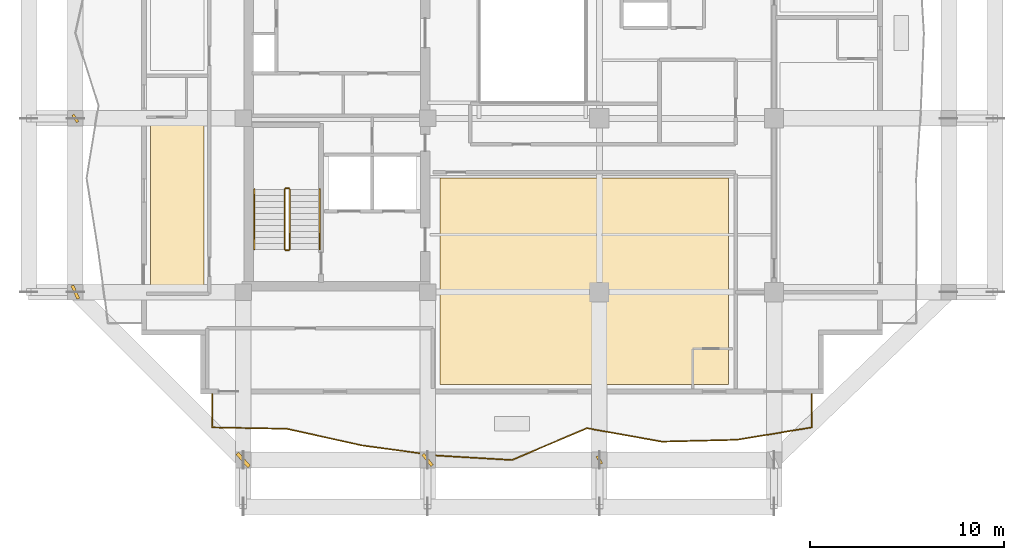
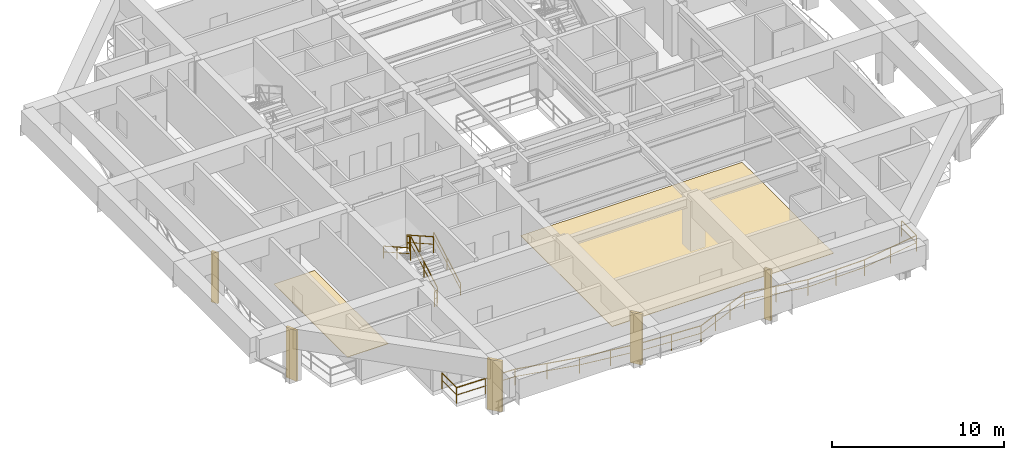
# One storey, part 7 of 11: 7 railings, 5 shading devices, 2 coverings.
"""IFC4 building model written with IfcOpenShell, lengths in metres."""

from ifc_helpers import new_model, si_unit, direction, frame, origin, origin_2d, place, context, subcontext, project, spatial, polyline, rectangle, outline, extrude, material, layer, layer_set, type_object, element, save


model = new_model("IFC4")

# Units and contexts
model_context = context("Model", 3, precision=1e-05, world=origin(), true_north=direction((0.0, 1.0)))
body_context = subcontext(model_context, "Body", "Model", "MODEL_VIEW")
ifc_project = project(units=[si_unit("LENGTHUNIT", "METRE"), si_unit("AREAUNIT", "SQUARE_METRE"), si_unit("VOLUMEUNIT", "CUBIC_METRE"), si_unit("PLANEANGLEUNIT", "RADIAN"), si_unit("MASSUNIT", "GRAM", prefix="KILO")], contexts=[model_context])

# Site, building, storey
site_placement = place(None, origin())
site = spatial("IfcSite", under=ifc_project, at=site_placement, CompositionType="ELEMENT")
building_placement = place(site_placement, origin())
building = spatial("IfcBuilding", under=site, at=building_placement, Name="Kundavana Baori Tower", CompositionType="ELEMENT")
storey_placement = place(building_placement, frame((0.0, 0.0, 154.050048828125)))
storey = spatial("IfcBuildingStorey", under=building, at=storey_placement, Name="L37", CompositionType="ELEMENT", Elevation=154.050048828125)

# Coverings
ifc_material_1 = material(Name="Honed Kota Stone and Terrazzo Flooring", Category="masonry")
ifc_layer = layer(ifc_material_1, 0.030029296875, Name="COV-INT-FLR")
ifc_layer_set = layer_set([ifc_layer], Name="Honed Kota Stone and Terrazzo Flooring")
covering_type = type_object("IfcCoveringType", Name="COV-INT-FLR", PredefinedType="FLOORING", material=ifc_layer_set)
covering_1_placement = place(storey_placement, origin())
element("IfcCovering", 1, at=covering_1_placement, inside=storey, type_object=covering_type, Name="L37 Room Finished Stone Flooring 1", PredefinedType="FLOORING", context=body_context, shape_type="SweptSolid", body=[
    extrude(outline(polyline([(10.679931640625, 15.5), (13.419921875, 15.5), (13.419921875, 24.070068359375), (10.679931640625, 24.070068359375), (10.679931640625, 15.5)])), origin(), (0.0, 0.0, 1.0), 0.030029296875),
])
covering_2_placement = place(storey_placement, origin())
element("IfcCovering", 2, at=covering_2_placement, inside=storey, type_object=covering_type, Name="L37 Room Finished Stone Flooring 3", PredefinedType="FLOORING", context=body_context, shape_type="SweptSolid", body=[
    extrude(outline(polyline([(25.580078125, 10.47998046875), (40.4599609375, 10.47998046875), (40.4599609375, 21.139892578125), (25.580078125, 21.139892578125), (25.580078125, 10.47998046875)])), origin(), (0.0, 0.0, 1.0), 0.030029296875),
])

# Railings
ifc_material_2 = material(Name="Architectural Patinated Bronze Metalwork")
railing_type_1 = type_object("IfcRailingType", Name="RL-BAL-1150", PredefinedType="BALUSTRADE", material=ifc_material_2)
railing_1_placement = place(storey_placement, frame((44.75, 10.0, 0.0)))
element("IfcRailing", 3, at=railing_1_placement, inside=storey, type_object=railing_type_1, Name="L37 Loggia Balcony Balustrade S", PredefinedType="BALUSTRADE", context=body_context, shape_type="SweptSolid", body=[
    extrude(rectangle(XDim=0.048095703125, YDim=0.048095703125, at=origin_2d()), frame((0.0, 0.0, 1.1259765625), z_axis=(0.0, -1.0, 0.0), x_axis=(1.0, 0.0, 0.0)), (0.0, 0.0, 1.0), 1.719970703125),
    extrude(rectangle(XDim=0.03125, YDim=0.03125, at=origin_2d()), frame((0.0, 0.0, 0.597900390625), z_axis=(0.0, -1.0, 0.0), x_axis=(1.0, 0.0, 0.0)), (0.0, 0.0, 1.0), 1.719970703125),
    extrude(rectangle(XDim=0.048095703125, YDim=0.048095703125, at=origin_2d()), frame((0.0, -1.719970703125, 1.1259765625), z_axis=(-0.986597073271, -0.16317541179, 0.0), x_axis=(0.16317541179, -0.986597073271, 0.0)), (0.0, 0.0, 1.0), 3.91552734375),
    extrude(rectangle(XDim=0.03125, YDim=0.03125, at=origin_2d()), frame((0.0, -1.719970703125, 0.597900390625), z_axis=(-0.986597073271, -0.16317541179, 0.0), x_axis=(0.16317541179, -0.986597073271, 0.0)), (0.0, 0.0, 1.0), 3.91552734375),
    extrude(rectangle(XDim=0.048095703125, YDim=0.048095703125, at=origin_2d()), frame((-3.863037109375, -2.35888671875, 1.1259765625), z_axis=(-0.999689970947, -0.024899035878, 0.0), x_axis=(0.024899035878, -0.999689970947, 0.0)), (0.0, 0.0, 1.0), 3.86328125),
    extrude(rectangle(XDim=0.03125, YDim=0.03125, at=origin_2d()), frame((-3.863037109375, -2.35888671875, 0.597900390625), z_axis=(-0.999689970947, -0.024899035878, 0.0), x_axis=(0.024899035878, -0.999689970947, 0.0)), (0.0, 0.0, 1.0), 3.86328125),
    extrude(rectangle(XDim=0.048095703125, YDim=0.048095703125, at=origin_2d()), frame((-7.72509765625, -2.455078125, 1.1259765625), z_axis=(-0.984272594142, 0.176656334225, 0.0), x_axis=(-0.176656334225, -0.984272594142, 0.0)), (0.0, 0.0, 1.0), 3.923583984375),
    extrude(rectangle(XDim=0.03125, YDim=0.03125, at=origin_2d()), frame((-7.72509765625, -2.455078125, 0.597900390625), z_axis=(-0.984272594142, 0.176656334225, 0.0), x_axis=(-0.176656334225, -0.984272594142, 0.0)), (0.0, 0.0, 1.0), 3.923583984375),
    extrude(rectangle(XDim=0.048095703125, YDim=0.048095703125, at=origin_2d()), frame((-11.5869140625, -1.761962890625, 1.1259765625), z_axis=(-0.920661003178, -0.390363058227, 0.0), x_axis=(0.390363058227, -0.920661003178, 0.0)), (0.0, 0.0, 1.0), 4.196044921875),
    extrude(rectangle(XDim=0.03125, YDim=0.03125, at=origin_2d()), frame((-11.5869140625, -1.761962890625, 0.597900390625), z_axis=(-0.920661003178, -0.390363058227, 0.0), x_axis=(0.390363058227, -0.920661003178, 0.0)), (0.0, 0.0, 1.0), 4.196044921875),
    extrude(rectangle(XDim=0.048095703125, YDim=0.048095703125, at=origin_2d()), frame((-15.449951171875, -3.39990234375, 1.1259765625), z_axis=(-0.998265221673, 0.058877391227, 0.0), x_axis=(-0.058877391227, -0.998265221673, 0.0)), (0.0, 0.0, 1.0), 3.86865234375),
    extrude(rectangle(XDim=0.03125, YDim=0.03125, at=origin_2d()), frame((-15.449951171875, -3.39990234375, 0.597900390625), z_axis=(-0.998265221673, 0.058877391227, 0.0), x_axis=(-0.058877391227, -0.998265221673, 0.0)), (0.0, 0.0, 1.0), 3.86865234375),
    extrude(rectangle(XDim=0.048095703125, YDim=0.048095703125, at=origin_2d()), frame((-19.31201171875, -3.172119140625, 1.1259765625), z_axis=(-0.991019367967, 0.133718406788, 0.0), x_axis=(-0.133718406788, -0.991019367967, 0.0)), (0.0, 0.0, 1.0), 3.89794921875),
    extrude(rectangle(XDim=0.03125, YDim=0.03125, at=origin_2d()), frame((-19.31201171875, -3.172119140625, 0.597900390625), z_axis=(-0.991019367967, 0.133718406788, 0.0), x_axis=(-0.133718406788, -0.991019367967, 0.0)), (0.0, 0.0, 1.0), 3.89794921875),
    extrude(rectangle(XDim=0.048095703125, YDim=0.048095703125, at=origin_2d()), frame((-23.175048828125, -2.65087890625, 1.1259765625), z_axis=(-0.976268289555, 0.21656460193, 0.0), x_axis=(-0.21656460193, -0.976268289555, 0.0)), (0.0, 0.0, 1.0), 3.95703125),
    extrude(rectangle(XDim=0.03125, YDim=0.03125, at=origin_2d()), frame((-23.175048828125, -2.65087890625, 0.597900390625), z_axis=(-0.976268289555, 0.21656460193, 0.0), x_axis=(-0.21656460193, -0.976268289555, 0.0)), (0.0, 0.0, 1.0), 3.95703125),
    extrude(rectangle(XDim=0.048095703125, YDim=0.048095703125, at=origin_2d()), frame((-27.0380859375, -1.7939453125, 1.1259765625), z_axis=(-0.999816585941, 0.019151879222, 0.0), x_axis=(-0.019151879222, -0.999816585941, 0.0)), (0.0, 0.0, 1.0), 3.862548828125),
    extrude(rectangle(XDim=0.03125, YDim=0.03125, at=origin_2d()), frame((-27.0380859375, -1.7939453125, 0.597900390625), z_axis=(-0.999816585941, 0.019151879222, 0.0), x_axis=(-0.019151879222, -0.999816585941, 0.0)), (0.0, 0.0, 1.0), 3.862548828125),
    extrude(rectangle(XDim=0.048095703125, YDim=0.048095703125, at=origin_2d()), frame((-30.89990234375, -1.719970703125, 1.1259765625), z_axis=(0.0, 1.0, 0.0), x_axis=(-1.0, 0.0, 0.0)), (0.0, 0.0, 1.0), 1.719970703125),
    extrude(rectangle(XDim=0.03125, YDim=0.03125, at=origin_2d()), frame((-30.89990234375, -1.719970703125, 0.597900390625), z_axis=(0.0, 1.0, 0.0), x_axis=(-1.0, 0.0, 0.0)), (0.0, 0.0, 1.0), 1.719970703125),
    extrude(rectangle(XDim=0.0419921875, YDim=0.0419921875, at=origin_2d()), origin(), (0.0, 0.0, 1.0), 1.101806640625),
    extrude(rectangle(XDim=0.0419921875, YDim=0.0419921875, at=origin_2d()), frame((0.0, -1.719970703125, 0.0)), (0.0, 0.0, 1.0), 1.101806640625),
    extrude(rectangle(XDim=0.0419921875, YDim=0.0419921875, at=origin_2d()), frame((-1.931640625, -2.03955078125, 0.0)), (0.0, 0.0, 1.0), 1.101806640625),
    extrude(rectangle(XDim=0.0419921875, YDim=0.0419921875, at=origin_2d()), frame((-3.863037109375, -2.35888671875, 0.0)), (0.0, 0.0, 1.0), 1.101806640625),
    extrude(rectangle(XDim=0.0419921875, YDim=0.0419921875, at=origin_2d()), frame((-5.7939453125, -2.406982421875, 0.0)), (0.0, 0.0, 1.0), 1.101806640625),
    extrude(rectangle(XDim=0.0419921875, YDim=0.0419921875, at=origin_2d()), frame((-7.72509765625, -2.455078125, 0.0)), (0.0, 0.0, 1.0), 1.101806640625),
    extrude(rectangle(XDim=0.0419921875, YDim=0.0419921875, at=origin_2d()), frame((-9.656005859375, -2.1083984375, 0.0)), (0.0, 0.0, 1.0), 1.101806640625),
    extrude(rectangle(XDim=0.0419921875, YDim=0.0419921875, at=origin_2d()), frame((-11.5869140625, -1.761962890625, 0.0)), (0.0, 0.0, 1.0), 1.101806640625),
    extrude(rectangle(XDim=0.0419921875, YDim=0.0419921875, at=origin_2d()), frame((-12.87451171875, -2.307861328125, 0.0)), (0.0, 0.0, 1.0), 1.101806640625),
    extrude(rectangle(XDim=0.0419921875, YDim=0.0419921875, at=origin_2d()), frame((-14.162353515625, -2.85400390625, 0.0)), (0.0, 0.0, 1.0), 1.101806640625),
    extrude(rectangle(XDim=0.0419921875, YDim=0.0419921875, at=origin_2d()), frame((-15.449951171875, -3.39990234375, 0.0)), (0.0, 0.0, 1.0), 1.101806640625),
    extrude(rectangle(XDim=0.0419921875, YDim=0.0419921875, at=origin_2d()), frame((-17.380859375, -3.2861328125, 0.0)), (0.0, 0.0, 1.0), 1.101806640625),
    extrude(rectangle(XDim=0.0419921875, YDim=0.0419921875, at=origin_2d()), frame((-19.31201171875, -3.172119140625, 0.0)), (0.0, 0.0, 1.0), 1.101806640625),
    extrude(rectangle(XDim=0.0419921875, YDim=0.0419921875, at=origin_2d()), frame((-21.24365234375, -2.91162109375, 0.0)), (0.0, 0.0, 1.0), 1.101806640625),
    extrude(rectangle(XDim=0.0419921875, YDim=0.0419921875, at=origin_2d()), frame((-23.175048828125, -2.65087890625, 0.0)), (0.0, 0.0, 1.0), 1.101806640625),
    extrude(rectangle(XDim=0.0419921875, YDim=0.0419921875, at=origin_2d()), frame((-25.1064453125, -2.222412109375, 0.0)), (0.0, 0.0, 1.0), 1.101806640625),
    extrude(rectangle(XDim=0.0419921875, YDim=0.0419921875, at=origin_2d()), frame((-27.0380859375, -1.7939453125, 0.0)), (0.0, 0.0, 1.0), 1.101806640625),
    extrude(rectangle(XDim=0.0419921875, YDim=0.0419921875, at=origin_2d()), frame((-28.968994140625, -1.7568359375, 0.0)), (0.0, 0.0, 1.0), 1.101806640625),
    extrude(rectangle(XDim=0.0419921875, YDim=0.0419921875, at=origin_2d()), frame((-30.89990234375, -1.719970703125, 0.0)), (0.0, 0.0, 1.0), 1.101806640625),
    extrude(rectangle(XDim=0.0419921875, YDim=0.0419921875, at=origin_2d()), frame((-30.89990234375, 0.0, 0.0)), (0.0, 0.0, 1.0), 1.101806640625),
])
ifc_material_3 = material(Name="Architectural Patinated Bronze Metalwork")
railing_type_2 = type_object("IfcRailingType", Name="RL-GRD-1150", PredefinedType="GUARDRAIL", material=ifc_material_3)
railing_2_placement = place(storey_placement, frame((17.840087890625, 17.449951171875, 0.175048828125)))
element("IfcRailing", 4, at=railing_2_placement, inside=storey, type_object=railing_type_2, Name="L37 ST1 stair guard 1", PredefinedType="GUARDRAIL", context=body_context, shape_type="SweptSolid", body=[
    extrude(rectangle(XDim=0.048095703125, YDim=0.048095703125, at=origin_2d()), frame((0.0, 0.0, 1.1259765625), z_axis=(0.0, 0.870830938388, 0.491582624537), x_axis=(-1.0, 0.0, 0.0)), (0.0, 0.0, 1.0), 3.559814453125),
    extrude(rectangle(XDim=0.03125, YDim=0.03125, at=origin_2d()), frame((0.0, 0.0, 0.597900390625), z_axis=(0.0, 0.870830938388, 0.491582624537), x_axis=(-1.0, 0.0, 0.0)), (0.0, 0.0, 1.0), 3.559814453125),
    extrude(rectangle(XDim=0.0419921875, YDim=0.0419921875, at=origin_2d()), origin(), (0.0, 0.0, 1.0), 1.101806640625),
    extrude(rectangle(XDim=0.0419921875, YDim=0.0419921875, at=origin_2d()), frame((0.0, 1.550048828125, 0.875)), (0.0, 0.0, 1.0), 1.101806640625),
    extrude(rectangle(XDim=0.0419921875, YDim=0.0419921875, at=origin_2d()), frame((0.0, 3.10009765625, 1.75)), (0.0, 0.0, 1.0), 1.101806640625),
])
railing_3_placement = place(storey_placement, frame((17.7900390625, 20.60009765625, 1.925048828125)))
element("IfcRailing", 5, at=railing_3_placement, inside=storey, type_object=railing_type_2, Name="L37 ST1 stair guard 2", PredefinedType="GUARDRAIL", context=body_context, shape_type="SweptSolid", body=[
    extrude(rectangle(XDim=0.048095703125, YDim=0.048095703125, at=origin_2d()), frame((0.0, 0.0, 1.1259765625), z_axis=(-1.0, 0.0, 0.0), x_axis=(0.0, -1.0, 0.0)), (0.0, 0.0, 1.0), 0.16015625),
    extrude(rectangle(XDim=0.03125, YDim=0.03125, at=origin_2d()), frame((0.0, 0.0, 0.597900390625), z_axis=(-1.0, 0.0, 0.0), x_axis=(0.0, -1.0, 0.0)), (0.0, 0.0, 1.0), 0.16015625),
    extrude(rectangle(XDim=0.0419921875, YDim=0.0419921875, at=origin_2d()), origin(), (0.0, 0.0, 1.0), 1.101806640625),
    extrude(rectangle(XDim=0.0419921875, YDim=0.0419921875, at=origin_2d()), frame((-0.16015625, 0.0, 0.0)), (0.0, 0.0, 1.0), 1.101806640625),
])
railing_4_placement = place(storey_placement, frame((17.580078125, 20.550048828125, 2.099853515625)))
element("IfcRailing", 6, at=railing_4_placement, inside=storey, type_object=railing_type_2, Name="L37 ST1 stair guard 3", PredefinedType="GUARDRAIL", context=body_context, shape_type="SweptSolid", body=[
    extrude(rectangle(XDim=0.048095703125, YDim=0.048095703125, at=origin_2d()), frame((0.0, 0.0, 1.1259765625), z_axis=(0.0, -0.870830938388, 0.491582624537), x_axis=(1.0, 0.0, 0.0)), (0.0, 0.0, 1.0), 3.559814453125),
    extrude(rectangle(XDim=0.03125, YDim=0.03125, at=origin_2d()), frame((0.0, 0.0, 0.597900390625), z_axis=(0.0, -0.870830938388, 0.491582624537), x_axis=(1.0, 0.0, 0.0)), (0.0, 0.0, 1.0), 3.559814453125),
    extrude(rectangle(XDim=0.0419921875, YDim=0.0419921875, at=origin_2d()), origin(), (0.0, 0.0, 1.0), 1.101806640625),
    extrude(rectangle(XDim=0.0419921875, YDim=0.0419921875, at=origin_2d()), frame((0.0, -1.550048828125, 0.875)), (0.0, 0.0, 1.0), 1.101806640625),
    extrude(rectangle(XDim=0.0419921875, YDim=0.0419921875, at=origin_2d()), frame((0.0, -3.10009765625, 1.75)), (0.0, 0.0, 1.0), 1.101806640625),
])
railing_5_placement = place(storey_placement, frame((17.7900390625, 17.39990234375, 0.0)))
element("IfcRailing", 7, at=railing_5_placement, inside=storey, type_object=railing_type_2, Name="L37 ST1 stair guard 4", PredefinedType="GUARDRAIL", context=body_context, shape_type="SweptSolid", body=[
    extrude(rectangle(XDim=0.048095703125, YDim=0.048095703125, at=origin_2d()), frame((0.0, 0.0, 1.1259765625), z_axis=(-1.0, 0.0, 0.0), x_axis=(0.0, -1.0, 0.0)), (0.0, 0.0, 1.0), 0.16015625),
    extrude(rectangle(XDim=0.03125, YDim=0.03125, at=origin_2d()), frame((0.0, 0.0, 0.597900390625), z_axis=(-1.0, 0.0, 0.0), x_axis=(0.0, -1.0, 0.0)), (0.0, 0.0, 1.0), 0.16015625),
    extrude(rectangle(XDim=0.0419921875, YDim=0.0419921875, at=origin_2d()), origin(), (0.0, 0.0, 1.0), 1.101806640625),
    extrude(rectangle(XDim=0.0419921875, YDim=0.0419921875, at=origin_2d()), frame((-0.16015625, 0.0, 0.0)), (0.0, 0.0, 1.0), 1.101806640625),
])
ifc_material_4 = material(Name="Architectural Patinated Bronze Metalwork")
railing_type_3 = type_object("IfcRailingType", Name="RL-HND-920", PredefinedType="HANDRAIL", material=ifc_material_4)
railing_6_placement = place(storey_placement, frame((19.389892578125, 17.449951171875, 0.175048828125)))
element("IfcRailing", 8, at=railing_6_placement, inside=storey, type_object=railing_type_3, Name="L37 ST1 stair handrail 1", PredefinedType="HANDRAIL", context=body_context, shape_type="SweptSolid", body=[
    extrude(rectangle(XDim=0.048095703125, YDim=0.048095703125, at=origin_2d()), frame((0.0, 0.0, 0.8759765625), z_axis=(0.0, 0.870830938388, 0.491582624537), x_axis=(-1.0, 0.0, 0.0)), (0.0, 0.0, 1.0), 3.559814453125),
    extrude(rectangle(XDim=0.03125, YDim=0.03125, at=origin_2d()), frame((0.0, 0.0, 0.468017578125), z_axis=(0.0, 0.870830938388, 0.491582624537), x_axis=(-1.0, 0.0, 0.0)), (0.0, 0.0, 1.0), 3.559814453125),
    extrude(rectangle(XDim=0.0419921875, YDim=0.0419921875, at=origin_2d()), origin(), (0.0, 0.0, 1.0), 0.851806640625),
    extrude(rectangle(XDim=0.0419921875, YDim=0.0419921875, at=origin_2d()), frame((0.0, 1.550048828125, 0.875)), (0.0, 0.0, 1.0), 0.851806640625),
    extrude(rectangle(XDim=0.0419921875, YDim=0.0419921875, at=origin_2d()), frame((0.0, 3.10009765625, 1.75)), (0.0, 0.0, 1.0), 0.851806640625),
])
railing_7_placement = place(storey_placement, frame((16.030029296875, 20.550048828125, 2.099853515625)))
element("IfcRailing", 9, at=railing_7_placement, inside=storey, type_object=railing_type_3, Name="L37 ST1 stair handrail 2", PredefinedType="HANDRAIL", context=body_context, shape_type="SweptSolid", body=[
    extrude(rectangle(XDim=0.048095703125, YDim=0.048095703125, at=origin_2d()), frame((0.0, 0.0, 0.8759765625), z_axis=(0.0, -0.870830938388, 0.491582624537), x_axis=(1.0, 0.0, 0.0)), (0.0, 0.0, 1.0), 3.559814453125),
    extrude(rectangle(XDim=0.03125, YDim=0.03125, at=origin_2d()), frame((0.0, 0.0, 0.468017578125), z_axis=(0.0, -0.870830938388, 0.491582624537), x_axis=(1.0, 0.0, 0.0)), (0.0, 0.0, 1.0), 3.559814453125),
    extrude(rectangle(XDim=0.0419921875, YDim=0.0419921875, at=origin_2d()), origin(), (0.0, 0.0, 1.0), 0.851806640625),
    extrude(rectangle(XDim=0.0419921875, YDim=0.0419921875, at=origin_2d()), frame((0.0, -1.550048828125, 0.875)), (0.0, 0.0, 1.0), 0.851806640625),
    extrude(rectangle(XDim=0.0419921875, YDim=0.0419921875, at=origin_2d()), frame((0.0, -3.10009765625, 1.75)), (0.0, 0.0, 1.0), 0.851806640625),
])

# Shading devices
ifc_material_5 = material(Name="Red-Buff Dholpur Sandstone Cladding on Concrete C40/50", Category="masonry")
shading_device_type_1 = type_object("IfcShadingDeviceType", Name="SHD-FIN-750", PredefinedType="JALOUSIE", material=ifc_material_5)
for number, where, z_axis, x_axis, name in (
    (10, (24.949951171875, 6.60009765625, 0.0), (0.0, 0.0, 1.0), (0.778571842519, 0.627555484428, 0.0), "L37 Sweeping Dholpur Sandstone Facade Fin 2"),
    (11, (6.800048828125, 15.25, 0.0), (0.0, 0.0, 1.0), (0.91233462633, 0.409445392696, 0.0), "L37 Sweeping Dholpur Sandstone Facade Fin 5"),
):
    element("IfcShadingDevice", number, at=place(storey_placement, frame(where, z_axis=z_axis, x_axis=x_axis)), inside=storey, type_object=shading_device_type_1, Name=name, PredefinedType="JALOUSIE", context=body_context, shape_type="SweptSolid", body=[
        extrude(rectangle(XDim=0.159912109375, YDim=0.75, at=origin_2d()), origin(), (0.0, 0.0, 1.0), 3.60009765625),
    ])
ifc_material_6 = material(Name="Red-Buff Dholpur Sandstone Cladding on Concrete C40/50", Category="masonry")
shading_device_type_2 = type_object("IfcShadingDeviceType", Name="SHD-FIN-920", PredefinedType="JALOUSIE", material=ifc_material_6)
shading_device_placement = place(storey_placement, frame((15.449951171875, 6.60009765625, 0.0), z_axis=(0.0, 0.0, 1.0), x_axis=(0.745126901925, 0.666922709185, 0.0)))
element("IfcShadingDevice", 12, at=shading_device_placement, inside=storey, type_object=shading_device_type_2, Name="L37 Sweeping Dholpur Sandstone Facade Fin 1", PredefinedType="JALOUSIE", context=body_context, shape_type="SweptSolid", body=[
    extrude(rectangle(XDim=0.179931640625, YDim=0.919921875, at=origin_2d()), origin(), (0.0, 0.0, 1.0), 3.60009765625),
])
ifc_material_7 = material(Name="Architectural Patinated Bronze Metalwork")
shading_device_type_3 = type_object("IfcShadingDeviceType", Name="SHD-LOUV-450", PredefinedType="SHUTTER", material=ifc_material_7)
for number, where, z_axis, x_axis, name in (
    (13, (33.800048828125, 6.60009765625, 0.0), (0.0, 0.0, 1.0), (0.869494929505, 0.493941866584, 0.0), "L37 Sweeping Dholpur Sandstone Facade Fin 3"),
    (14, (6.800048828125, 24.199951171875, 0.0), (0.0, 0.0, 1.0), (0.838670567945, 0.544639035015, 0.0), "L37 Sweeping Dholpur Sandstone Facade Fin 6"),
):
    element("IfcShadingDevice", number, at=place(storey_placement, frame(where, z_axis=z_axis, x_axis=x_axis)), inside=storey, type_object=shading_device_type_3, Name=name, PredefinedType="SHUTTER", context=body_context, shape_type="SweptSolid", body=[
        extrude(rectangle(XDim=0.139892578125, YDim=0.449951171875, at=origin_2d()), origin(), (0.0, 0.0, 1.0), 3.60009765625),
    ])

save(model, "model.ifc")
